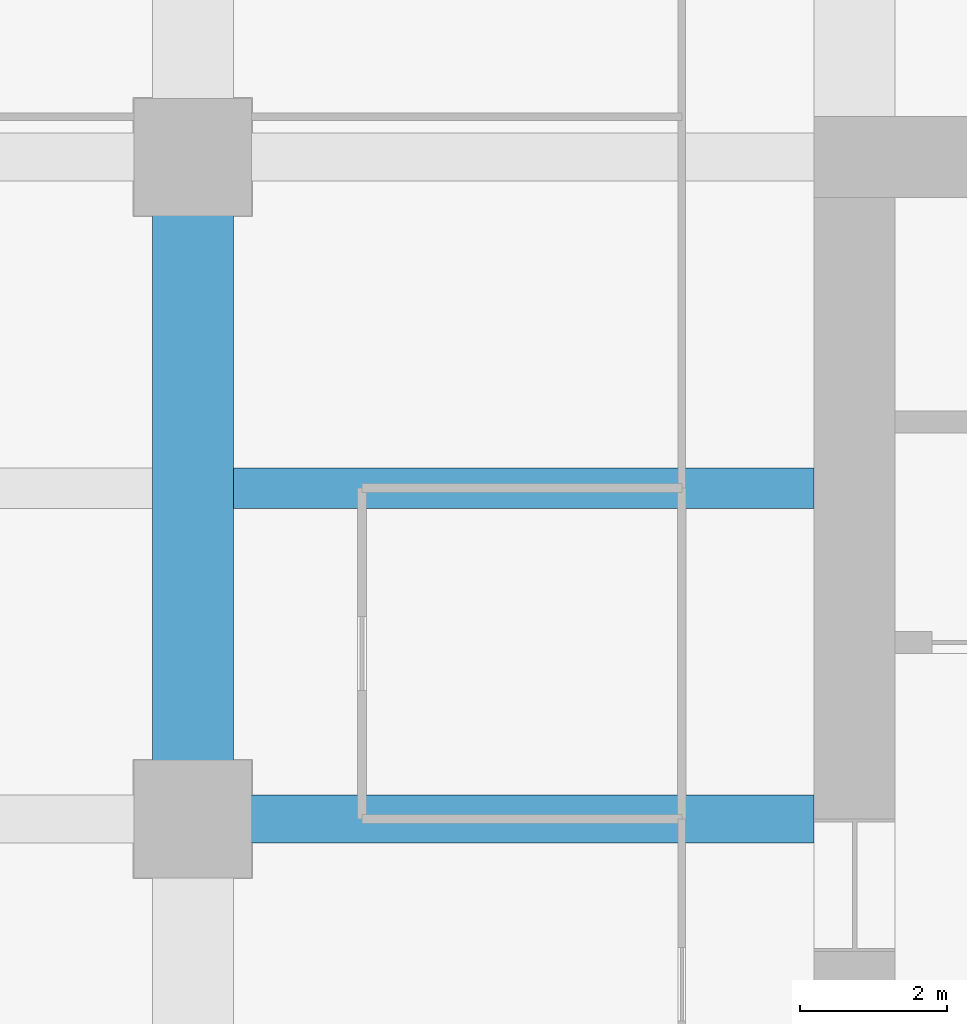
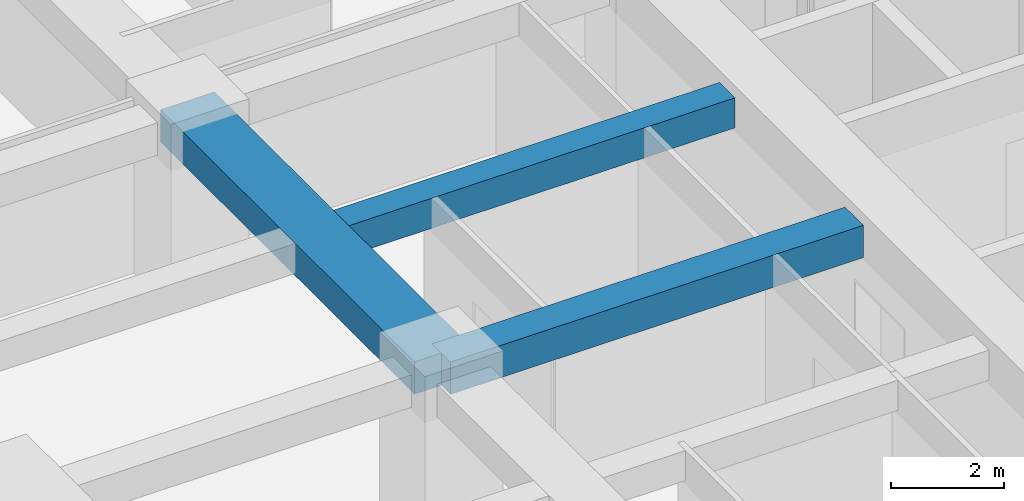
# One storey, part 12 of 33: 3 beams.
"""IFC4 building model written with IfcOpenShell, lengths in metres."""

from ifc_helpers import new_model, si_unit, direction, frame, origin, origin_2d, place, context, subcontext, project, spatial, rectangle, extrude, material, material_profile, profile_set, type_object, element, save


model = new_model("IFC4")

# Units and contexts
model_context = context("Model", 3, precision=1e-05, world=origin(), true_north=direction((0.0, 1.0)))
body_context = subcontext(model_context, "Body", "Model", "MODEL_VIEW")
ifc_project = project(units=[si_unit("LENGTHUNIT", "METRE"), si_unit("AREAUNIT", "SQUARE_METRE"), si_unit("VOLUMEUNIT", "CUBIC_METRE"), si_unit("PLANEANGLEUNIT", "RADIAN"), si_unit("MASSUNIT", "GRAM", prefix="KILO")], contexts=[model_context])

# Site, building, storey
site_placement = place(None, origin())
site = spatial("IfcSite", under=ifc_project, at=site_placement, CompositionType="ELEMENT")
building_placement = place(site_placement, origin())
building = spatial("IfcBuilding", under=site, at=building_placement, Name="Zorevar Civic Tower", CompositionType="ELEMENT")
storey_placement = place(building_placement, frame((0.0, 0.0, 194.199951171875)))
storey = spatial("IfcBuildingStorey", under=building, at=storey_placement, Name="L47", CompositionType="ELEMENT", Elevation=194.199951171875)

# Beams
ifc_material_1 = material(Name="Concrete C50/60", Category="concrete")
ifc_material_profile_1 = material_profile(ifc_material_1, rectangle(XDim=1.10009765625, YDim=0.699951171875, at=origin_2d()), Name="RC 1100x700")
ifc_profile_set_1 = profile_set([ifc_material_profile_1], Name="Concrete C50/60")
beam_type_1 = type_object("IfcBeamType", Name="Beam RC 1100x700", PredefinedType="BEAM", material=ifc_profile_set_1)
beam_1_placement = place(storey_placement, frame((9.0, 27.0, 3.400146484375), z_axis=(0.0, 1.0, 0.0), x_axis=(-1.0, 0.0, 0.0)))
element("IfcBeam", 1, at=beam_1_placement, inside=storey, type_object=beam_type_1, Name="Girder L48", PredefinedType="BEAM", context=body_context, shape_type="SweptSolid", body=[
    extrude(rectangle(XDim=1.10009765625, YDim=0.699951171875, at=origin_2d()), origin(), (0.0, 0.0, 1.0), 9.0),
])
ifc_material_2 = material(Name="Concrete C50/60", Category="concrete")
ifc_material_profile_2 = material_profile(ifc_material_2, rectangle(XDim=0.550048828125, YDim=0.64990234375, at=origin_2d()), Name="RC 550x650")
ifc_profile_set_2 = profile_set([ifc_material_profile_2], Name="Concrete C50/60")
beam_type_2 = type_object("IfcBeamType", Name="Beam RC 550x650", PredefinedType="BEAM", material=ifc_profile_set_2)
beam_2_placement = place(storey_placement, frame((9.550048828125, 31.5, 3.425048828125), z_axis=(1.0, 0.0, 0.0), x_axis=(0.0, 1.0, 0.0)))
element("IfcBeam", 2, at=beam_2_placement, inside=storey, type_object=beam_type_2, Name="Secondary beam L48", PredefinedType="BEAM", context=body_context, shape_type="SweptSolid", body=[
    extrude(rectangle(XDim=0.550048828125, YDim=0.64990234375, at=origin_2d()), origin(), (0.0, 0.0, 1.0), 7.89990234375),
])
ifc_material_3 = material(Name="Concrete C50/60", Category="concrete")
ifc_material_profile_3 = material_profile(ifc_material_3, rectangle(XDim=0.64990234375, YDim=0.699951171875, at=origin_2d()), Name="RC 650x700")
ifc_profile_set_3 = profile_set([ifc_material_profile_3], Name="Concrete C50/60")
beam_type_3 = type_object("IfcBeamType", Name="Beam RC 650x700", PredefinedType="BEAM", material=ifc_profile_set_3)
beam_3_placement = place(storey_placement, frame((9.0, 27.0, 3.400146484375), z_axis=(1.0, 0.0, 0.0), x_axis=(0.0, 1.0, 0.0)))
element("IfcBeam", 3, at=beam_3_placement, inside=storey, type_object=beam_type_3, Name="Girder L48", PredefinedType="BEAM", context=body_context, shape_type="SweptSolid", body=[
    extrude(rectangle(XDim=0.64990234375, YDim=0.699951171875, at=origin_2d()), origin(), (0.0, 0.0, 1.0), 8.449951171875),
])

save(model, "model.ifc")
